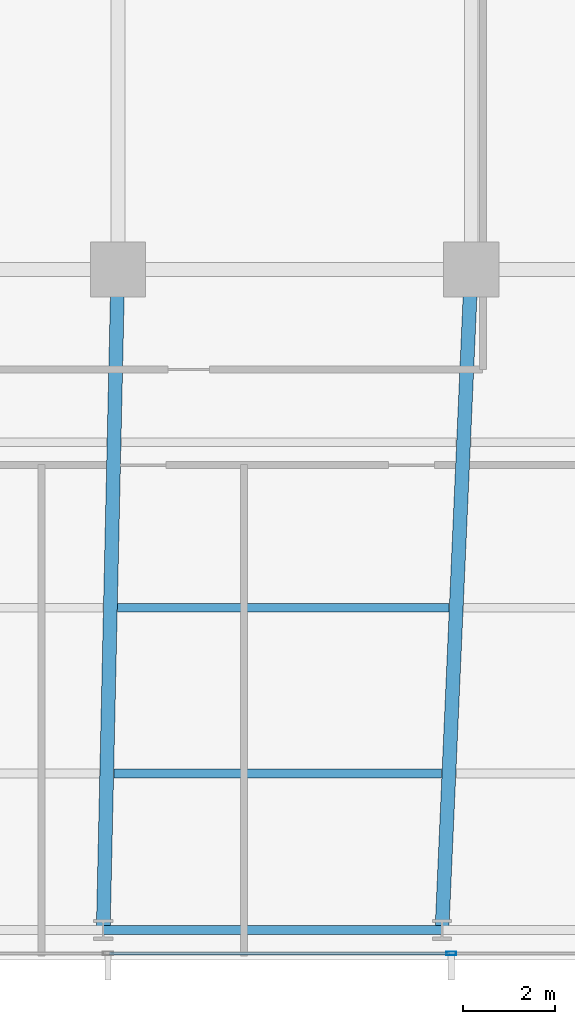
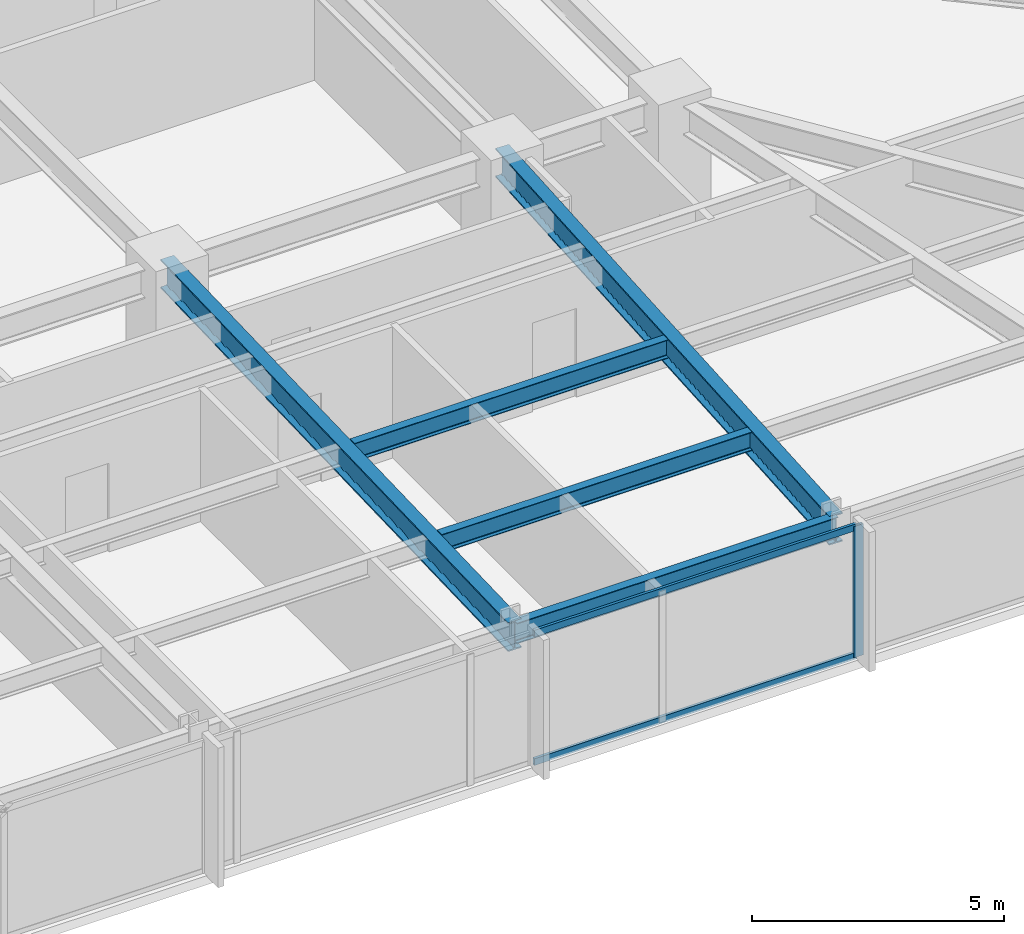
# One storey, part 12 of 32: 5 beams, 3 members, 1 element without a shape of its own.
"""IFC4 building model written with IfcOpenShell, lengths in metres."""

from ifc_helpers import new_model, si_unit, direction, frame, origin, origin_2d, place, context, subcontext, project, spatial, hollow_rectangle, i_section, extrude, material, material_profile, profile_set, type_object, element, aggregate, save


model = new_model("IFC4")

# Units and contexts
model_context = context("Model", 3, precision=1e-05, world=origin(), true_north=direction((0.0, 1.0)))
body_context = subcontext(model_context, "Body", "Model", "MODEL_VIEW")
ifc_project = project(units=[si_unit("LENGTHUNIT", "METRE"), si_unit("AREAUNIT", "SQUARE_METRE"), si_unit("VOLUMEUNIT", "CUBIC_METRE"), si_unit("PLANEANGLEUNIT", "RADIAN"), si_unit("MASSUNIT", "GRAM", prefix="KILO")], contexts=[model_context])

# Site, building, storey
site_placement = place(None, origin())
site = spatial("IfcSite", under=ifc_project, at=site_placement, CompositionType="ELEMENT")
building_placement = place(site_placement, origin())
building = spatial("IfcBuilding", under=site, at=building_placement, Name="Yelkora Congress Tower", CompositionType="ELEMENT")
storey_placement = place(building_placement, frame((0.0, 0.0, 44.0)))
storey = spatial("IfcBuildingStorey", under=building, at=storey_placement, Name="L10", CompositionType="ELEMENT", Elevation=44.0)

# Beams
ifc_material_1 = material(Name="Steel S355J2", Category="steel")
ifc_material_profile_1 = material_profile(ifc_material_1, i_section(OverallWidth=0.300048828125, OverallDepth=0.699951171875, WebThickness=0.01708984375, FlangeThickness=0.031982421875, FilletRadius=0.027099609375, at=origin_2d()), Name="HEB 700")
ifc_profile_set_1 = profile_set([ifc_material_profile_1], Name="Steel S355J2")
beam_type_1 = type_object("IfcBeamType", Name="BM-GIRD-HEB700", PredefinedType="BEAM", material=ifc_profile_set_1)
beam_1_placement = place(storey_placement, frame((45.762451171875, 10.85009765625, 2.830078125), z_axis=(0.022129088136, 0.999755121746, 0.0), x_axis=(-0.999755121746, 0.022129088136, 0.0)))
element("IfcBeam", 1, at=beam_1_placement, inside=storey, type_object=beam_type_1, Name="L10 Primary Frame Girder S06", PredefinedType="BEAM", context=body_context, shape_type="SweptSolid", body=[
    extrude(i_section(OverallWidth=0.300048828125, OverallDepth=0.699951171875, WebThickness=0.01708984375, FlangeThickness=0.031982421875, FilletRadius=0.027099609375, at=origin_2d()), origin(), (0.0, 0.0, 1.0), 14.353271484375),
])
beam_2_placement = place(storey_placement, frame((53.125, 10.85009765625, 2.830078125), z_axis=(0.044208738849, 0.999022315771, 0.0), x_axis=(-0.999022315771, 0.044208738849, 0.0)))
element("IfcBeam", 2, at=beam_2_placement, inside=storey, type_object=beam_type_1, Name="L10 Primary Frame Girder S07", PredefinedType="BEAM", context=body_context, shape_type="SweptSolid", body=[
    extrude(i_section(OverallWidth=0.300048828125, OverallDepth=0.699951171875, WebThickness=0.01708984375, FlangeThickness=0.031982421875, FilletRadius=0.027099609375, at=origin_2d()), origin(), (0.0, 0.0, 1.0), 14.364013671875),
])
ifc_material_profile_2 = material_profile(ifc_material_1, i_section(OverallWidth=0.18994140625, OverallDepth=0.449951171875, WebThickness=0.009521484375, FlangeThickness=0.0146484375, FilletRadius=0.02099609375, at=origin_2d()), Name="IPE 450")
ifc_profile_set_2 = profile_set([ifc_material_profile_2], Name="Steel S355J2")
beam_type_2 = type_object("IfcBeamType", Name="BM-JOIST-IPE450", PredefinedType="JOIST", material=ifc_profile_set_2)
beam_3_placement = place(storey_placement, frame((45.997802734375, 14.25, 2.955078125), z_axis=(1.0, 0.0, 0.0), x_axis=(0.0, 1.0, 0.0)))
element("IfcBeam", 3, at=beam_3_placement, inside=storey, type_object=beam_type_2, Name="L10 Composite Floor Joist 6", PredefinedType="JOIST", context=body_context, shape_type="SweptSolid", body=[
    extrude(i_section(OverallWidth=0.18994140625, OverallDepth=0.449951171875, WebThickness=0.009521484375, FlangeThickness=0.0146484375, FilletRadius=0.02099609375, at=origin_2d()), origin(), (0.0, 0.0, 1.0), 7.11767578125),
])
beam_4_placement = place(storey_placement, frame((46.077392578125, 17.85009765625, 2.955078125), z_axis=(1.0, 0.0, 0.0), x_axis=(0.0, 1.0, 0.0)))
element("IfcBeam", 4, at=beam_4_placement, inside=storey, type_object=beam_type_2, Name="L10 Composite Floor Joist 14", PredefinedType="JOIST", context=body_context, shape_type="SweptSolid", body=[
    extrude(i_section(OverallWidth=0.18994140625, OverallDepth=0.449951171875, WebThickness=0.009521484375, FlangeThickness=0.0146484375, FilletRadius=0.02099609375, at=origin_2d()), origin(), (0.0, 0.0, 1.0), 7.197509765625),
])
ifc_material_profile_3 = material_profile(ifc_material_1, i_section(OverallWidth=0.199951171875, OverallDepth=0.5, WebThickness=0.01025390625, FlangeThickness=0.01611328125, FilletRadius=0.02099609375, at=origin_2d()), Name="IPE 500")
ifc_profile_set_3 = profile_set([ifc_material_profile_3], Name="Steel S355J2")
beam_type_3 = type_object("IfcBeamType", Name="BM-SPAN-IPE500", PredefinedType="SPANDREL", material=ifc_profile_set_3)
beam_5_placement = place(storey_placement, frame((45.762451171875, 10.85009765625, 2.929931640625), z_axis=(1.0, 0.0, 0.0), x_axis=(0.0, 1.0, 0.0)))
element("IfcBeam", 5, at=beam_5_placement, inside=storey, type_object=beam_type_3, Name="L10 Perimeter Beam 7", PredefinedType="SPANDREL", context=body_context, shape_type="SweptSolid", body=[
    extrude(i_section(OverallWidth=0.199951171875, OverallDepth=0.5, WebThickness=0.01025390625, FlangeThickness=0.01611328125, FilletRadius=0.02099609375, at=origin_2d()), origin(), (0.0, 0.0, 1.0), 7.362548828125),
])

# Curtain wall, members
ifc_material_2 = material(Name="Anodised aluminium and insulated glass", Category="aluminium")
curtain_wall_type = type_object("IfcCurtainWallType", Name="CW-SYS-B1", PredefinedType="NOTDEFINED", material=ifc_material_2)
curtain_wall_placement = place(storey_placement, origin())
curtain_wall = element("IfcCurtainWall", 6, at=curtain_wall_placement, inside=storey, type_object=curtain_wall_type, Name="L10 Unitised Curtain Wall 20", PredefinedType="NOTDEFINED")
ifc_material_3 = material(Name="Anodised aluminium 6063-T6", Category="aluminium")
ifc_material_profile_4 = material_profile(ifc_material_3, hollow_rectangle(XDim=0.074951171875, YDim=0.219970703125, WallThickness=0.0048828125, at=origin_2d()), Name="ALU 75x220x5")
ifc_profile_set_4 = profile_set([ifc_material_profile_4], Name="Anodised aluminium 6063-T6")
member_type_1 = type_object("IfcMemberType", Name="MEM-ML-B1", PredefinedType="MULLION", material=ifc_profile_set_4)
member_1_placement = place(storey_placement, frame((53.330078125, 10.340087890625, 0.0), z_axis=(0.0, 0.0, 1.0), x_axis=(0.0, -1.0, 0.0)))
member_1 = element("IfcMember", 7, at=member_1_placement, type_object=member_type_1, Name="CW-B1 mullion 3", PredefinedType="MULLION", context=body_context, shape_type="SweptSolid", body=[
    extrude(hollow_rectangle(XDim=0.074951171875, YDim=0.219970703125, WallThickness=0.0048828125, at=origin_2d()), origin(), (0.0, 0.0, 1.0), 3.179931640625),
])
ifc_material_profile_5 = material_profile(ifc_material_3, hollow_rectangle(XDim=0.06494140625, YDim=0.159912109375, WallThickness=0.00390625, at=origin_2d()), Name="ALU 65x160x4")
ifc_profile_set_5 = profile_set([ifc_material_profile_5], Name="Anodised aluminium 6063-T6")
member_type_2 = type_object("IfcMemberType", Name="MEM-TR-B1", PredefinedType="USERDEFINED", material=ifc_profile_set_5)
member_2_placement = place(storey_placement, frame((53.29248046875, 10.340087890625, 0.032470703125), z_axis=(-1.0, 0.0, 0.0), x_axis=(0.0, -1.0, 0.0)))
member_2 = element("IfcMember", 8, at=member_2_placement, type_object=member_type_2, Name="CW-B1 transom 3.1", ObjectType="TRANSOM", PredefinedType="USERDEFINED", context=body_context, shape_type="SweptSolid", body=[
    extrude(hollow_rectangle(XDim=0.06494140625, YDim=0.159912109375, WallThickness=0.00390625, at=origin_2d()), origin(), (0.0, 0.0, 1.0), 7.389892578125),
])
member_3_placement = place(storey_placement, frame((53.29248046875, 10.340087890625, 3.1474609375), z_axis=(-1.0, 0.0, 0.0), x_axis=(0.0, -1.0, 0.0)))
member_3 = element("IfcMember", 9, at=member_3_placement, type_object=member_type_2, Name="CW-B1 transom 3.2", ObjectType="TRANSOM", PredefinedType="USERDEFINED", context=body_context, shape_type="SweptSolid", body=[
    extrude(hollow_rectangle(XDim=0.06494140625, YDim=0.159912109375, WallThickness=0.00390625, at=origin_2d()), origin(), (0.0, 0.0, 1.0), 7.389892578125),
])
aggregate(curtain_wall, [member_1, member_2, member_3])

save(model, "model.ifc")
